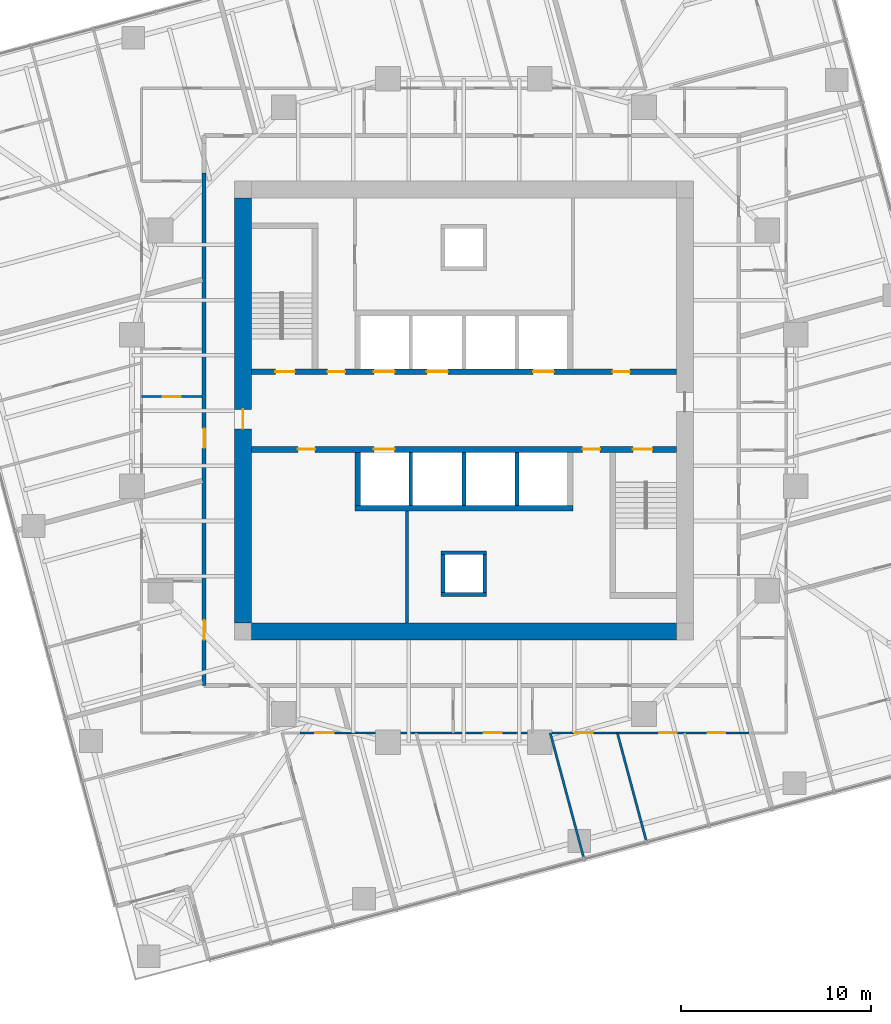
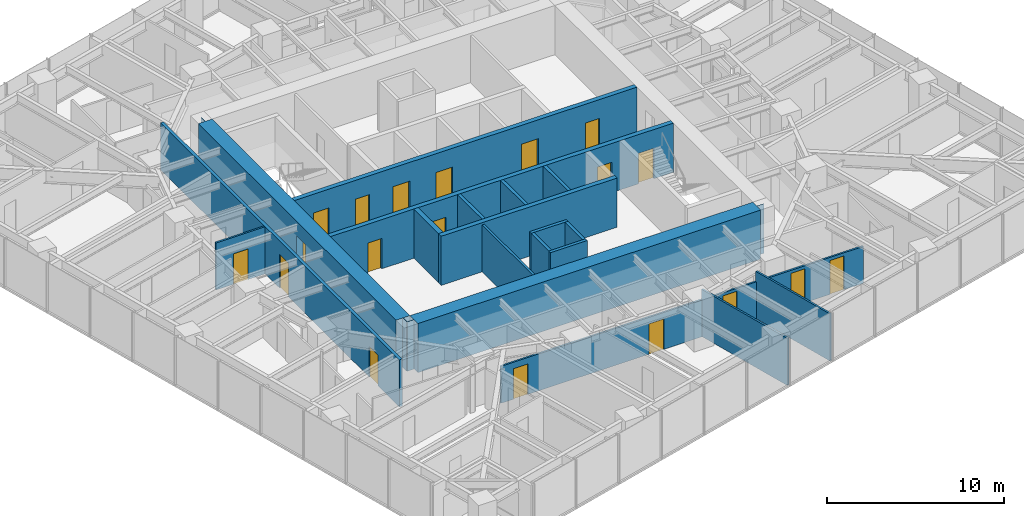
# One storey, part 9 of 13: 19 doors, 19 walls, 19 openings.
"""IFC4 building model written with IfcOpenShell, lengths in metres."""

from ifc_helpers import new_model, si_unit, direction, frame, frame_2d, origin, place, context, subcontext, project, spatial, polyline, rectangle, outline, extrude, material, layer, layer_set, type_object, element, fill, save


model = new_model("IFC4")

# Units and contexts
model_context = context("Model", 3, precision=1e-05, world=origin(), true_north=direction((0.0, 1.0)))
body_context = subcontext(model_context, "Body", "Model", "MODEL_VIEW")
ifc_project = project(units=[si_unit("LENGTHUNIT", "METRE"), si_unit("AREAUNIT", "SQUARE_METRE"), si_unit("VOLUMEUNIT", "CUBIC_METRE"), si_unit("PLANEANGLEUNIT", "RADIAN"), si_unit("MASSUNIT", "GRAM", prefix="KILO")], contexts=[model_context])

# Site, building, storey
site_placement = place(None, origin())
site = spatial("IfcSite", under=ifc_project, at=site_placement, CompositionType="ELEMENT")
building_placement = place(site_placement, origin())
building = spatial("IfcBuilding", under=site, at=building_placement, Name="Torsade Residences", CompositionType="ELEMENT")
storey_placement = place(building_placement, frame((0.0, 0.0, 118.39990234375)))
storey = spatial("IfcBuildingStorey", under=building, at=storey_placement, Name="L32", CompositionType="ELEMENT", Elevation=118.39990234375)

# Wall, openings, doors
ifc_material_1 = material(Name="Concrete 80 MPa", Category="concrete")
ifc_layer_1 = layer(ifc_material_1, 0.300048828125)
ifc_layer_set_1 = layer_set([ifc_layer_1], Name="Concrete 80 MPa")
wall_type_1 = type_object("IfcWallType", Name="CORE INTERNAL WALL 300", PredefinedType="SHEAR", material=ifc_layer_set_1)
wall_1_placement = place(storey_placement, frame((28.800048828125, 32.050048828125, 0.0), z_axis=(0.0, 0.0, 1.0), x_axis=(1.0, 0.0, 0.0)))
wall_1 = element("IfcWall", 1, at=wall_1_placement, inside=storey, type_object=wall_type_1, Name="Core wall LN L32", PredefinedType="SHEAR", context=body_context, shape_type="SweptSolid", body=[
    extrude(rectangle(XDim=22.39990234375, YDim=0.300048828125, at=frame_2d((11.199951171875, 0.0))), origin(), (0.0, 0.0, 1.0), 3.400146484375),
])
opening_1_placement = place(wall_1_placement, frame((19.0400390625, 0.0, 0.0)))
opening_1 = element("IfcOpeningElement", 2, at=opening_1_placement, cuts=wall_1, Name="Opening D06", PredefinedType="OPENING", context=body_context, shape_type="SweptSolid", body=[
    extrude(rectangle(XDim=0.919921875, YDim=2.10009765625, at=frame_2d((0.4599609375, 1.050048828125))), frame((0.0, 0.159912109375, 0.0), z_axis=(0.0, -1.0, 0.0), x_axis=(1.0, 0.0, 0.0)), (0.0, 0.0, 1.0), 0.320068359375),
])
opening_2_placement = place(wall_1_placement, frame((1.264892578125, 0.0, 0.0)))
opening_2 = element("IfcOpeningElement", 3, at=opening_2_placement, cuts=wall_1, Name="Opening D03", PredefinedType="OPENING", context=body_context, shape_type="SweptSolid", body=[
    extrude(rectangle(XDim=1.02001953125, YDim=2.10009765625, at=frame_2d((0.510009765625, 1.050048828125))), frame((0.0, 0.159912109375, 0.0), z_axis=(0.0, -1.0, 0.0), x_axis=(1.0, 0.0, 0.0)), (0.0, 0.0, 1.0), 0.320068359375),
])
opening_3_placement = place(wall_1_placement, frame((4.014892578125, 0.0, 0.0)))
opening_3 = element("IfcOpeningElement", 4, at=opening_3_placement, cuts=wall_1, Name="Opening D06", PredefinedType="OPENING", context=body_context, shape_type="SweptSolid", body=[
    extrude(rectangle(XDim=0.919921875, YDim=2.10009765625, at=frame_2d((0.4599609375, 1.050048828125))), frame((0.0, 0.159912109375, 0.0), z_axis=(0.0, -1.0, 0.0), x_axis=(1.0, 0.0, 0.0)), (0.0, 0.0, 1.0), 0.320068359375),
])
opening_4_placement = place(wall_1_placement, frame((6.449951171875, 0.0, 0.0)))
opening_4 = element("IfcOpeningElement", 5, at=opening_4_placement, cuts=wall_1, Name="Opening LD", PredefinedType="OPENING", context=body_context, shape_type="SweptSolid", body=[
    extrude(rectangle(XDim=1.10009765625, YDim=2.10009765625, at=frame_2d((0.550048828125, 1.050048828125))), frame((0.0, 0.159912109375, 0.0), z_axis=(0.0, -1.0, 0.0), x_axis=(1.0, 0.0, 0.0)), (0.0, 0.0, 1.0), 0.320068359375),
])
opening_5_placement = place(wall_1_placement, frame((9.25, 0.0, 0.0)))
opening_5 = element("IfcOpeningElement", 6, at=opening_5_placement, cuts=wall_1, Name="Opening LD", PredefinedType="OPENING", context=body_context, shape_type="SweptSolid", body=[
    extrude(rectangle(XDim=1.10009765625, YDim=2.10009765625, at=frame_2d((0.550048828125, 1.050048828125))), frame((0.0, 0.159912109375, 0.0), z_axis=(0.0, -1.0, 0.0), x_axis=(1.0, 0.0, 0.0)), (0.0, 0.0, 1.0), 0.320068359375),
])
opening_6_placement = place(wall_1_placement, frame((14.85009765625, 0.0, 0.0)))
opening_6 = element("IfcOpeningElement", 7, at=opening_6_placement, cuts=wall_1, Name="Opening LD", PredefinedType="OPENING", context=body_context, shape_type="SweptSolid", body=[
    extrude(rectangle(XDim=1.10009765625, YDim=2.10009765625, at=frame_2d((0.550048828125, 1.050048828125))), frame((0.0, 0.159912109375, 0.0), z_axis=(0.0, -1.0, 0.0), x_axis=(1.0, 0.0, 0.0)), (0.0, 0.0, 1.0), 0.320068359375),
])
ifc_material_2 = material(Name="Steel-framed fire door", Category="steel")
door_type_1 = type_object("IfcDoorType", Name="FIRE DOOR 1020", OperationType="NOTDEFINED", PredefinedType="DOOR", material=ifc_material_2)
door_1_placement = place(opening_2_placement, origin())
door_1 = element("IfcDoor", 8, at=door_1_placement, inside=storey, type_object=door_type_1, Name="Exit door to fire-isolated stair ST1 L32", OperationType="SINGLE_SWING_RIGHT", OverallHeight=2.10009765625, OverallWidth=1.02001953125, PredefinedType="DOOR", context=body_context, shape_type="SweptSolid", body=[
    extrude(rectangle(XDim=1.02001953125, YDim=2.10009765625, at=frame_2d((0.510009765625, 1.050048828125))), frame((0.0, 0.02490234375, 0.0), z_axis=(0.0, -1.0, 0.0), x_axis=(1.0, 0.0, 0.0)), (0.0, 0.0, 1.0), 0.050048828125),
])
fill(opening_2, door_1)
ifc_material_3 = material(Name="Steel-framed fire door", Category="steel")
door_type_2 = type_object("IfcDoorType", Name="FIRE DOOR 920", OperationType="NOTDEFINED", PredefinedType="DOOR", material=ifc_material_3)
door_2_placement = place(opening_1_placement, origin())
door_2 = element("IfcDoor", 9, at=door_2_placement, inside=storey, type_object=door_type_2, Name="Door Lift lobby to Refuse room", OperationType="SINGLE_SWING_LEFT", OverallHeight=2.10009765625, OverallWidth=0.919921875, PredefinedType="DOOR", context=body_context, shape_type="SweptSolid", body=[
    extrude(rectangle(XDim=0.919921875, YDim=2.10009765625, at=frame_2d((0.4599609375, 1.050048828125))), frame((0.0, 0.02490234375, 0.0), z_axis=(0.0, -1.0, 0.0), x_axis=(1.0, 0.0, 0.0)), (0.0, 0.0, 1.0), 0.050048828125),
])
fill(opening_1, door_2)
door_3_placement = place(opening_3_placement, origin())
door_3 = element("IfcDoor", 10, at=door_3_placement, inside=storey, type_object=door_type_2, Name="Door Lift lobby to Meter store", OperationType="SINGLE_SWING_LEFT", OverallHeight=2.10009765625, OverallWidth=0.919921875, PredefinedType="DOOR", context=body_context, shape_type="SweptSolid", body=[
    extrude(rectangle(XDim=0.919921875, YDim=2.10009765625, at=frame_2d((0.4599609375, 1.050048828125))), frame((0.0, 0.02490234375, 0.0), z_axis=(0.0, -1.0, 0.0), x_axis=(1.0, 0.0, 0.0)), (0.0, 0.0, 1.0), 0.050048828125),
])
fill(opening_3, door_3)
ifc_material_4 = material(Name="Stainless steel lift landing door", Category="steel")
door_type_3 = type_object("IfcDoorType", Name="LIFT LANDING DOOR 1100", OperationType="SLIDING_TO_LEFT", PredefinedType="DOOR", material=ifc_material_4)
door_4_placement = place(opening_4_placement, origin())
door_4 = element("IfcDoor", 11, at=door_4_placement, inside=storey, type_object=door_type_3, Name="Lift LA1 landing door L32", OperationType="SLIDING_TO_LEFT", OverallHeight=2.10009765625, OverallWidth=1.10009765625, PredefinedType="DOOR", context=body_context, shape_type="SweptSolid", body=[
    extrude(rectangle(XDim=1.10009765625, YDim=2.10009765625, at=frame_2d((0.550048828125, 1.050048828125))), frame((0.0, 0.02490234375, 0.0), z_axis=(0.0, -1.0, 0.0), x_axis=(1.0, 0.0, 0.0)), (0.0, 0.0, 1.0), 0.050048828125),
])
fill(opening_4, door_4)
door_5_placement = place(opening_5_placement, origin())
door_5 = element("IfcDoor", 12, at=door_5_placement, inside=storey, type_object=door_type_3, Name="Lift LA2 landing door L32", OperationType="SLIDING_TO_LEFT", OverallHeight=2.10009765625, OverallWidth=1.10009765625, PredefinedType="DOOR", context=body_context, shape_type="SweptSolid", body=[
    extrude(rectangle(XDim=1.10009765625, YDim=2.10009765625, at=frame_2d((0.550048828125, 1.050048828125))), frame((0.0, 0.02490234375, 0.0), z_axis=(0.0, -1.0, 0.0), x_axis=(1.0, 0.0, 0.0)), (0.0, 0.0, 1.0), 0.050048828125),
])
fill(opening_5, door_5)
door_6_placement = place(opening_6_placement, origin())
door_6 = element("IfcDoor", 13, at=door_6_placement, inside=storey, type_object=door_type_3, Name="Lift FL1 landing door L32", OperationType="SLIDING_TO_LEFT", OverallHeight=2.10009765625, OverallWidth=1.10009765625, PredefinedType="DOOR", context=body_context, shape_type="SweptSolid", body=[
    extrude(rectangle(XDim=1.10009765625, YDim=2.10009765625, at=frame_2d((0.550048828125, 1.050048828125))), frame((0.0, 0.02490234375, 0.0), z_axis=(0.0, -1.0, 0.0), x_axis=(1.0, 0.0, 0.0)), (0.0, 0.0, 1.0), 0.050048828125),
])
fill(opening_6, door_6)

wall_2_placement = place(storey_placement, frame((51.199951171875, 27.949951171875, 0.0), z_axis=(0.0, 0.0, 1.0), x_axis=(-1.0, 0.0, 0.0)))
wall_2 = element("IfcWall", 14, at=wall_2_placement, inside=storey, type_object=wall_type_1, Name="Core wall LS L32", PredefinedType="SHEAR", context=body_context, shape_type="SweptSolid", body=[
    extrude(rectangle(XDim=22.39990234375, YDim=0.300048828125, at=frame_2d((11.199951171875, 0.0))), origin(), (0.0, 0.0, 1.0), 3.400146484375),
])
opening_7_placement = place(wall_2_placement, frame((19.0400390625, 0.0, 0.0)))
opening_7 = element("IfcOpeningElement", 15, at=opening_7_placement, cuts=wall_2, Name="Opening D06", PredefinedType="OPENING", context=body_context, shape_type="SweptSolid", body=[
    extrude(rectangle(XDim=0.919921875, YDim=2.10009765625, at=frame_2d((0.4599609375, 1.050048828125))), frame((0.0, 0.159912109375, 0.0), z_axis=(0.0, -1.0, 0.0), x_axis=(1.0, 0.0, 0.0)), (0.0, 0.0, 1.0), 0.320068359375),
])
opening_8_placement = place(wall_2_placement, frame((1.264892578125, 0.0, 0.0)))
opening_8 = element("IfcOpeningElement", 16, at=opening_8_placement, cuts=wall_2, Name="Opening D03", PredefinedType="OPENING", context=body_context, shape_type="SweptSolid", body=[
    extrude(rectangle(XDim=1.02001953125, YDim=2.10009765625, at=frame_2d((0.510009765625, 1.050048828125))), frame((0.0, 0.159912109375, 0.0), z_axis=(0.0, -1.0, 0.0), x_axis=(1.0, 0.0, 0.0)), (0.0, 0.0, 1.0), 0.320068359375),
])
opening_9_placement = place(wall_2_placement, frame((4.014892578125, 0.0, 0.0)))
opening_9 = element("IfcOpeningElement", 17, at=opening_9_placement, cuts=wall_2, Name="Opening D06", PredefinedType="OPENING", context=body_context, shape_type="SweptSolid", body=[
    extrude(rectangle(XDim=0.919921875, YDim=2.10009765625, at=frame_2d((0.4599609375, 1.050048828125))), frame((0.0, 0.159912109375, 0.0), z_axis=(0.0, -1.0, 0.0), x_axis=(1.0, 0.0, 0.0)), (0.0, 0.0, 1.0), 0.320068359375),
])
opening_10_placement = place(wall_2_placement, frame((14.85009765625, 0.0, 0.0)))
opening_10 = element("IfcOpeningElement", 18, at=opening_10_placement, cuts=wall_2, Name="Opening LD", PredefinedType="OPENING", context=body_context, shape_type="SweptSolid", body=[
    extrude(rectangle(XDim=1.10009765625, YDim=2.10009765625, at=frame_2d((0.550048828125, 1.050048828125))), frame((0.0, 0.159912109375, 0.0), z_axis=(0.0, -1.0, 0.0), x_axis=(1.0, 0.0, 0.0)), (0.0, 0.0, 1.0), 0.320068359375),
])
door_7_placement = place(opening_8_placement, origin())
door_7 = element("IfcDoor", 19, at=door_7_placement, inside=storey, type_object=door_type_1, Name="Exit door to fire-isolated stair ST2 L32", OperationType="SINGLE_SWING_RIGHT", OverallHeight=2.10009765625, OverallWidth=1.02001953125, PredefinedType="DOOR", context=body_context, shape_type="SweptSolid", body=[
    extrude(rectangle(XDim=1.02001953125, YDim=2.10009765625, at=frame_2d((0.510009765625, 1.050048828125))), frame((0.0, 0.02490234375, 0.0), z_axis=(0.0, -1.0, 0.0), x_axis=(1.0, 0.0, 0.0)), (0.0, 0.0, 1.0), 0.050048828125),
])
fill(opening_8, door_7)
door_8_placement = place(opening_7_placement, origin())
door_8 = element("IfcDoor", 20, at=door_8_placement, inside=storey, type_object=door_type_2, Name="Door Lift lobby to Cleaner store", OperationType="SINGLE_SWING_LEFT", OverallHeight=2.10009765625, OverallWidth=0.919921875, PredefinedType="DOOR", context=body_context, shape_type="SweptSolid", body=[
    extrude(rectangle(XDim=0.919921875, YDim=2.10009765625, at=frame_2d((0.4599609375, 1.050048828125))), frame((0.0, 0.02490234375, 0.0), z_axis=(0.0, -1.0, 0.0), x_axis=(1.0, 0.0, 0.0)), (0.0, 0.0, 1.0), 0.050048828125),
])
fill(opening_7, door_8)
door_9_placement = place(opening_9_placement, origin())
door_9 = element("IfcDoor", 21, at=door_9_placement, inside=storey, type_object=door_type_2, Name="Door Lift lobby to Communications riser room", OperationType="SINGLE_SWING_RIGHT", OverallHeight=2.10009765625, OverallWidth=0.919921875, PredefinedType="DOOR", context=body_context, shape_type="SweptSolid", body=[
    extrude(rectangle(XDim=0.919921875, YDim=2.10009765625, at=frame_2d((0.4599609375, 1.050048828125))), frame((0.0, 0.02490234375, 0.0), z_axis=(0.0, -1.0, 0.0), x_axis=(1.0, 0.0, 0.0)), (0.0, 0.0, 1.0), 0.050048828125),
])
fill(opening_9, door_9)
door_10_placement = place(opening_10_placement, origin())
door_10 = element("IfcDoor", 22, at=door_10_placement, inside=storey, type_object=door_type_3, Name="Lift FL2 landing door L32", OperationType="SLIDING_TO_LEFT", OverallHeight=2.10009765625, OverallWidth=1.10009765625, PredefinedType="DOOR", context=body_context, shape_type="SweptSolid", body=[
    extrude(rectangle(XDim=1.10009765625, YDim=2.10009765625, at=frame_2d((0.550048828125, 1.050048828125))), frame((0.0, 0.02490234375, 0.0), z_axis=(0.0, -1.0, 0.0), x_axis=(1.0, 0.0, 0.0)), (0.0, 0.0, 1.0), 0.050048828125),
])
fill(opening_10, door_10)

# Walls
wall_3_placement = place(storey_placement, frame((45.75, 24.85009765625, 0.0), z_axis=(0.0, 0.0, 1.0), x_axis=(-1.0, 0.0, 0.0)))
element("IfcWall", 23, at=wall_3_placement, inside=storey, type_object=wall_type_1, Name="Core wall BS L32", PredefinedType="SHEAR", context=body_context, shape_type="SweptSolid", body=[
    extrude(rectangle(XDim=11.5, YDim=0.300048828125, at=frame_2d((5.75, 0.0))), origin(), (0.0, 0.0, 1.0), 3.400146484375),
])
wall_4_placement = place(storey_placement, frame((34.39990234375, 27.800048828125, 0.0), z_axis=(0.0, 0.0, 1.0), x_axis=(0.0, -1.0, 0.0)))
element("IfcWall", 24, at=wall_4_placement, inside=storey, type_object=wall_type_1, Name="Core wall DS4 L32", PredefinedType="SHEAR", context=body_context, shape_type="SweptSolid", body=[
    extrude(rectangle(XDim=2.800048828125, YDim=0.300048828125, at=frame_2d((1.39990234375, 0.0))), origin(), (0.0, 0.0, 1.0), 3.400146484375),
])
ifc_material_5 = material(Name="Concrete 80 MPa", Category="concrete")
ifc_layer_2 = layer(ifc_material_5, 0.89990234375)
ifc_layer_set_2 = layer_set([ifc_layer_2], Name="Concrete 80 MPa")
wall_type_2 = type_object("IfcWallType", Name="CORE WALL 900", PredefinedType="SHEAR", material=ifc_layer_set_2)
wall_5_placement = place(storey_placement, frame((51.199951171875, 18.35009765625, 0.0), z_axis=(0.0, 0.0, 1.0), x_axis=(-1.0, 0.0, 0.0)))
element("IfcWall", 25, at=wall_5_placement, inside=storey, type_object=wall_type_2, Name="Core wall S L32", PredefinedType="SHEAR", context=body_context, shape_type="SweptSolid", body=[
    extrude(outline(polyline([(0.0, -0.449951171875), (22.39990234375, -0.449951171875), (22.39990234375, -0.02490234375), (22.849853515625, -0.02490234375), (22.849853515625, 0.02490234375), (22.39990234375, 0.02490234375), (22.39990234375, 0.449951171875), (0.0, 0.449951171875), (0.0, 0.02490234375), (-0.449951171875, 0.02490234375), (-0.449951171875, -0.02490234375), (0.0, -0.02490234375), (0.0, -0.449951171875)])), origin(), (0.0, 0.0, 1.0), 3.400146484375),
])

# Wall, opening, door
wall_6_placement = place(storey_placement, frame((28.35009765625, 41.199951171875, 0.0), z_axis=(0.0, 0.0, 1.0), x_axis=(0.0, -1.0, 0.0)))
wall_6 = element("IfcWall", 26, at=wall_6_placement, inside=storey, type_object=wall_type_2, Name="Core wall W L32", PredefinedType="SHEAR", context=body_context, shape_type="SweptSolid", body=[
    extrude(outline(polyline([(0.0, -0.449951171875), (22.39990234375, -0.449951171875), (22.39990234375, -0.02490234375), (22.849853515625, -0.02490234375), (22.849853515625, 0.02490234375), (22.39990234375, 0.02490234375), (22.39990234375, 0.449951171875), (0.0, 0.449951171875), (0.0, 0.02490234375), (-0.449951171875, 0.02490234375), (-0.449951171875, -0.02490234375), (0.0, -0.02490234375), (0.0, -0.449951171875)])), origin(), (0.0, 0.0, 1.0), 3.400146484375),
])
opening_11_placement = place(wall_6_placement, frame((11.139892578125, 0.0, 0.0)))
opening_11 = element("IfcOpeningElement", 27, at=opening_11_placement, cuts=wall_6, Name="Opening D04", PredefinedType="OPENING", context=body_context, shape_type="SweptSolid", body=[
    extrude(rectangle(XDim=1.02001953125, YDim=2.39990234375, at=frame_2d((0.510009765625, 1.199951171875))), frame((0.0, 0.4599609375, 0.0), z_axis=(0.0, -1.0, 0.0), x_axis=(1.0, 0.0, 0.0)), (0.0, 0.0, 1.0), 0.919921875),
])
ifc_material_6 = material(Name="Steel-framed fire door", Category="steel")
door_type_4 = type_object("IfcDoorType", Name="LOBBY SMOKE DOOR 1020x2400", OperationType="NOTDEFINED", PredefinedType="DOOR", material=ifc_material_6)
door_11_placement = place(opening_11_placement, origin())
door_11 = element("IfcDoor", 28, at=door_11_placement, inside=storey, type_object=door_type_4, Name="Lift lobby door W L32", OperationType="SINGLE_SWING_RIGHT", OverallHeight=2.39990234375, OverallWidth=1.02001953125, PredefinedType="DOOR", context=body_context, shape_type="SweptSolid", body=[
    extrude(rectangle(XDim=1.02001953125, YDim=2.39990234375, at=frame_2d((0.510009765625, 1.199951171875))), frame((0.0, 0.02490234375, 0.0), z_axis=(0.0, -1.0, 0.0), x_axis=(1.0, 0.0, 0.0)), (0.0, 0.0, 1.0), 0.050048828125),
])
fill(opening_11, door_11)

# Wall, openings, doors
ifc_material_7 = material(Name="Plasterboard on steel stud", Category="steel")
ifc_layer_3 = layer(ifc_material_7, 0.199951171875)
ifc_layer_set_3 = layer_set([ifc_layer_3], Name="Plasterboard on steel stud")
wall_type_3 = type_object("IfcWallType", Name="CORRIDOR WALL 200", PredefinedType="PARTITIONING", material=ifc_layer_set_3)
wall_7_placement = place(storey_placement, frame((26.300048828125, 42.52001953125, 0.0), z_axis=(0.0, 0.0, 1.0), x_axis=(0.0, -1.0, 0.0)))
wall_7 = element("IfcWall", 29, at=wall_7_placement, inside=storey, type_object=wall_type_3, Name="Corridor wall L32", PredefinedType="PARTITIONING", context=body_context, shape_type="SweptSolid", body=[
    extrude(rectangle(XDim=27.02001953125, YDim=0.199951171875, at=frame_2d((13.510009765625, 0.0))), origin(), (0.0, 0.0, 1.0), 3.25),
])
opening_12_placement = place(wall_7_placement, frame((23.583984375, 0.0, 0.0)))
opening_12 = element("IfcOpeningElement", 30, at=opening_12_placement, cuts=wall_7, Name="Opening D01L", PredefinedType="OPENING", context=body_context, shape_type="SweptSolid", body=[
    extrude(rectangle(XDim=1.02001953125, YDim=2.10009765625, at=frame_2d((0.510009765625, 1.050048828125))), frame((0.0, 0.10986328125, 0.0), z_axis=(0.0, -1.0, 0.0), x_axis=(1.0, 0.0, 0.0)), (0.0, 0.0, 1.0), 0.219970703125),
])
opening_13_placement = place(wall_7_placement, frame((13.468017578125, 0.0, 0.0)))
opening_13 = element("IfcOpeningElement", 31, at=opening_13_placement, cuts=wall_7, Name="Opening D01", PredefinedType="OPENING", context=body_context, shape_type="SweptSolid", body=[
    extrude(rectangle(XDim=1.02001953125, YDim=2.340087890625, at=frame_2d((0.510009765625, 1.169921875))), frame((0.0, 0.10986328125, 0.0), z_axis=(0.0, -1.0, 0.0), x_axis=(1.0, 0.0, 0.0)), (0.0, 0.0, 1.0), 0.219970703125),
])
ifc_material_8 = material(Name="Solid-core timber fire door", Category="wood")
door_type_5 = type_object("IfcDoorType", Name="APARTMENT ENTRY DOOR 1020x2100", OperationType="NOTDEFINED", PredefinedType="DOOR", material=ifc_material_8)
door_12_placement = place(opening_12_placement, origin())
door_12 = element("IfcDoor", 32, at=door_12_placement, inside=storey, type_object=door_type_5, Name="Door Residential corridor to Kitchen and dining", OperationType="SINGLE_SWING_RIGHT", OverallHeight=2.10009765625, OverallWidth=1.02001953125, PredefinedType="DOOR", context=body_context, shape_type="SweptSolid", body=[
    extrude(rectangle(XDim=1.02001953125, YDim=2.10009765625, at=frame_2d((0.510009765625, 1.050048828125))), frame((0.0, 0.02490234375, 0.0), z_axis=(0.0, -1.0, 0.0), x_axis=(1.0, 0.0, 0.0)), (0.0, 0.0, 1.0), 0.050048828125),
])
fill(opening_12, door_12)
ifc_material_9 = material(Name="Solid-core timber fire door", Category="wood")
door_type_6 = type_object("IfcDoorType", Name="APARTMENT ENTRY DOOR 1020x2340", OperationType="NOTDEFINED", PredefinedType="DOOR", material=ifc_material_9)
door_13_placement = place(opening_13_placement, origin())
door_13 = element("IfcDoor", 33, at=door_13_placement, inside=storey, type_object=door_type_6, Name="Door Residential corridor to Kitchen and dining", OperationType="SINGLE_SWING_RIGHT", OverallHeight=2.340087890625, OverallWidth=1.02001953125, PredefinedType="DOOR", context=body_context, shape_type="SweptSolid", body=[
    extrude(rectangle(XDim=1.02001953125, YDim=2.340087890625, at=frame_2d((0.510009765625, 1.169921875))), frame((0.0, 0.02490234375, 0.0), z_axis=(0.0, -1.0, 0.0), x_axis=(1.0, 0.0, 0.0)), (0.0, 0.0, 1.0), 0.050048828125),
])
fill(opening_13, door_13)

# Walls
ifc_material_10 = material(Name="Reinforced blockwork", Category="masonry")
ifc_layer_4 = layer(ifc_material_10, 0.199951171875)
ifc_layer_set_4 = layer_set([ifc_layer_4], Name="Reinforced blockwork")
wall_type_4 = type_object("IfcWallType", Name="LIFT SHAFT DIVIDING WALL 200", PredefinedType="SOLIDWALL", material=ifc_layer_set_4)
for number, where, z_axis, x_axis, name in (
    (34, (42.800048828125, 27.800048828125, 0.0), (0.0, 0.0, 1.0), (0.0, -1.0, 0.0), "Core wall DS1 L32"),
    (35, (40.0, 27.800048828125, 0.0), (0.0, 0.0, 1.0), (0.0, -1.0, 0.0), "Core wall DS2 L32"),
    (36, (37.199951171875, 27.800048828125, 0.0), (0.0, 0.0, 1.0), (0.0, -1.0, 0.0), "Core wall DS3 L32"),
):
    element("IfcWall", number, at=place(storey_placement, frame(where, z_axis=z_axis, x_axis=x_axis)), inside=storey, type_object=wall_type_4, Name=name, PredefinedType="SOLIDWALL", context=body_context, shape_type="SweptSolid", body=[
        extrude(rectangle(XDim=2.800048828125, YDim=0.199951171875, at=frame_2d((1.39990234375, 0.0))), origin(), (0.0, 0.0, 1.0), 3.400146484375),
    ])

# Wall, openings, doors
ifc_material_11 = material(Name="Plasterboard on steel stud", Category="steel")
ifc_layer_5 = layer(ifc_material_11, 0.1201171875)
ifc_layer_set_5 = layer_set([ifc_layer_5], Name="Plasterboard on steel stud")
wall_type_5 = type_object("IfcWallType", Name="PARTITION 120", PredefinedType="PARTITIONING", material=ifc_layer_set_5)
wall_8_placement = place(storey_placement, frame((55.046142578125, 13.0, 0.0), z_axis=(0.0, 0.0, 1.0), x_axis=(-1.0, 0.0, 0.0)))
wall_8 = element("IfcWall", 37, at=wall_8_placement, inside=storey, type_object=wall_type_5, Name="Partition L32", PredefinedType="PARTITIONING", context=body_context, shape_type="SweptSolid", body=[
    extrude(rectangle(XDim=23.692626953125, YDim=0.1201171875, at=frame_2d((11.84619140625, 0.0))), origin(), (0.0, 0.0, 1.0), 2.550048828125),
])
opening_14_placement = place(wall_8_placement, frame((8.262451171875, 0.0, 0.0)))
opening_14 = element("IfcOpeningElement", 38, at=opening_14_placement, cuts=wall_8, Name="Opening D02", PredefinedType="OPENING", context=body_context, shape_type="SweptSolid", body=[
    extrude(rectangle(XDim=0.919921875, YDim=2.340087890625, at=frame_2d((0.4599609375, 1.169921875))), frame((0.0, 0.070068359375, 0.0), z_axis=(0.0, -1.0, 0.0), x_axis=(1.0, 0.0, 0.0)), (0.0, 0.0, 1.0), 0.14013671875),
])
opening_15_placement = place(wall_8_placement, frame((3.8251953125, 0.0, 0.0)))
opening_15 = element("IfcOpeningElement", 39, at=opening_15_placement, cuts=wall_8, Name="Opening D02", PredefinedType="OPENING", context=body_context, shape_type="SweptSolid", body=[
    extrude(rectangle(XDim=0.919921875, YDim=2.340087890625, at=frame_2d((0.4599609375, 1.169921875))), frame((0.0, 0.070068359375, 0.0), z_axis=(0.0, -1.0, 0.0), x_axis=(1.0, 0.0, 0.0)), (0.0, 0.0, 1.0), 0.14013671875),
])
opening_16_placement = place(wall_8_placement, frame((1.274169921875, 0.0, 0.0)))
opening_16 = element("IfcOpeningElement", 40, at=opening_16_placement, cuts=wall_8, Name="Opening D02", PredefinedType="OPENING", context=body_context, shape_type="SweptSolid", body=[
    extrude(rectangle(XDim=0.919921875, YDim=2.340087890625, at=frame_2d((0.4599609375, 1.169921875))), frame((0.0, 0.070068359375, 0.0), z_axis=(0.0, -1.0, 0.0), x_axis=(1.0, 0.0, 0.0)), (0.0, 0.0, 1.0), 0.14013671875),
])
opening_17_placement = place(wall_8_placement, frame((13.041259765625, 0.0, 0.0)))
opening_17 = element("IfcOpeningElement", 41, at=opening_17_placement, cuts=wall_8, Name="Opening D05", PredefinedType="OPENING", context=body_context, shape_type="SweptSolid", body=[
    extrude(rectangle(XDim=0.9599609375, YDim=2.10009765625, at=frame_2d((0.47998046875, 1.050048828125))), frame((0.0, 0.070068359375, 0.0), z_axis=(0.0, -1.0, 0.0), x_axis=(1.0, 0.0, 0.0)), (0.0, 0.0, 1.0), 0.14013671875),
])
opening_18_placement = place(wall_8_placement, frame((21.91748046875, 0.0, 0.0)))
opening_18 = element("IfcOpeningElement", 42, at=opening_18_placement, cuts=wall_8, Name="Opening D05", PredefinedType="OPENING", context=body_context, shape_type="SweptSolid", body=[
    extrude(rectangle(XDim=0.9599609375, YDim=2.10009765625, at=frame_2d((0.47998046875, 1.050048828125))), frame((0.0, 0.070068359375, 0.0), z_axis=(0.0, -1.0, 0.0), x_axis=(1.0, 0.0, 0.0)), (0.0, 0.0, 1.0), 0.14013671875),
])
ifc_material_12 = material(Name="Hollow-core timber door in a steel cavity frame", Category="steel")
door_type_7 = type_object("IfcDoorType", Name="BATHROOM CAVITY SLIDING DOOR 960", OperationType="SLIDING_TO_LEFT", PredefinedType="DOOR", material=ifc_material_12)
door_14_placement = place(opening_17_placement, origin())
door_14 = element("IfcDoor", 43, at=door_14_placement, inside=storey, type_object=door_type_7, Name="Door Ensuite to Living room", OperationType="SLIDING_TO_LEFT", OverallHeight=2.10009765625, OverallWidth=0.9599609375, PredefinedType="DOOR", context=body_context, shape_type="SweptSolid", body=[
    extrude(rectangle(XDim=0.9599609375, YDim=2.10009765625, at=frame_2d((0.47998046875, 1.050048828125))), frame((0.0, 0.02490234375, 0.0), z_axis=(0.0, -1.0, 0.0), x_axis=(1.0, 0.0, 0.0)), (0.0, 0.0, 1.0), 0.050048828125),
])
fill(opening_17, door_14)
door_15_placement = place(opening_18_placement, origin())
door_15 = element("IfcDoor", 44, at=door_15_placement, inside=storey, type_object=door_type_7, Name="Door Bedroom 1 to Ensuite", OperationType="SLIDING_TO_LEFT", OverallHeight=2.10009765625, OverallWidth=0.9599609375, PredefinedType="DOOR", context=body_context, shape_type="SweptSolid", body=[
    extrude(rectangle(XDim=0.9599609375, YDim=2.10009765625, at=frame_2d((0.47998046875, 1.050048828125))), frame((0.0, 0.02490234375, 0.0), z_axis=(0.0, -1.0, 0.0), x_axis=(1.0, 0.0, 0.0)), (0.0, 0.0, 1.0), 0.050048828125),
])
fill(opening_18, door_15)
ifc_material_13 = material(Name="Hollow-core timber door", Category="wood")
door_type_8 = type_object("IfcDoorType", Name="INTERNAL DOOR 920x2340", OperationType="NOTDEFINED", PredefinedType="DOOR", material=ifc_material_13)
door_16_placement = place(opening_14_placement, origin())
door_16 = element("IfcDoor", 45, at=door_16_placement, inside=storey, type_object=door_type_8, Name="Door Kitchen and dining to Bedroom 2", OperationType="SINGLE_SWING_RIGHT", OverallHeight=2.340087890625, OverallWidth=0.919921875, PredefinedType="DOOR", context=body_context, shape_type="SweptSolid", body=[
    extrude(rectangle(XDim=0.919921875, YDim=2.340087890625, at=frame_2d((0.4599609375, 1.169921875))), frame((0.0, 0.02490234375, 0.0), z_axis=(0.0, -1.0, 0.0), x_axis=(1.0, 0.0, 0.0)), (0.0, 0.0, 1.0), 0.050048828125),
])
fill(opening_14, door_16)
door_17_placement = place(opening_15_placement, origin())
door_17 = element("IfcDoor", 46, at=door_17_placement, inside=storey, type_object=door_type_8, Name="Door Kitchen and dining to Bedroom 3", OperationType="SINGLE_SWING_LEFT", OverallHeight=2.340087890625, OverallWidth=0.919921875, PredefinedType="DOOR", context=body_context, shape_type="SweptSolid", body=[
    extrude(rectangle(XDim=0.919921875, YDim=2.340087890625, at=frame_2d((0.4599609375, 1.169921875))), frame((0.0, 0.02490234375, 0.0), z_axis=(0.0, -1.0, 0.0), x_axis=(1.0, 0.0, 0.0)), (0.0, 0.0, 1.0), 0.050048828125),
])
fill(opening_15, door_17)
door_18_placement = place(opening_16_placement, origin())
door_18 = element("IfcDoor", 47, at=door_18_placement, inside=storey, type_object=door_type_8, Name="Door Kitchen and dining to Study", OperationType="SINGLE_SWING_RIGHT", OverallHeight=2.340087890625, OverallWidth=0.919921875, PredefinedType="DOOR", context=body_context, shape_type="SweptSolid", body=[
    extrude(rectangle(XDim=0.919921875, YDim=2.340087890625, at=frame_2d((0.4599609375, 1.169921875))), frame((0.0, 0.02490234375, 0.0), z_axis=(0.0, -1.0, 0.0), x_axis=(1.0, 0.0, 0.0)), (0.0, 0.0, 1.0), 0.050048828125),
])
fill(opening_16, door_18)

# Walls
wall_9_placement = place(storey_placement, frame((44.55517578125, 13.0, 0.0), z_axis=(0.0, 0.0, 1.0), x_axis=(0.258829770556, -0.965922952349, 0.0)))
element("IfcWall", 48, at=wall_9_placement, inside=storey, type_object=wall_type_5, Name="Partition L32", PredefinedType="PARTITIONING", context=body_context, shape_type="SweptSolid", body=[
    extrude(rectangle(XDim=6.8603515625, YDim=0.1201171875, at=frame_2d((3.43017578125, 0.0))), origin(), (0.0, 0.0, 1.0), 3.25),
])
wall_10_placement = place(storey_placement, frame((48.09228515625, 13.0, 0.0), z_axis=(0.0, 0.0, 1.0), x_axis=(0.258812722515, -0.965927520399, 0.0)))
element("IfcWall", 49, at=wall_10_placement, inside=storey, type_object=wall_type_5, Name="Partition L32", PredefinedType="PARTITIONING", context=body_context, shape_type="SweptSolid", body=[
    extrude(rectangle(XDim=5.94482421875, YDim=0.1201171875, at=frame_2d((2.972412109375, 0.0))), origin(), (0.0, 0.0, 1.0), 3.25),
])

# Wall, opening, door
wall_11_placement = place(storey_placement, frame((23.0, 30.737060546875, 0.0), z_axis=(0.0, 0.0, 1.0), x_axis=(1.0, 0.0, 0.0)))
wall_11 = element("IfcWall", 50, at=wall_11_placement, inside=storey, type_object=wall_type_5, Name="Partition L32", PredefinedType="PARTITIONING", context=body_context, shape_type="SweptSolid", body=[
    extrude(rectangle(XDim=3.199951171875, YDim=0.1201171875, at=frame_2d((1.60009765625, 0.0))), origin(), (0.0, 0.0, 1.0), 3.25),
])
opening_19_placement = place(wall_11_placement, frame((1.1201171875, 0.0, 0.0)))
opening_19 = element("IfcOpeningElement", 51, at=opening_19_placement, cuts=wall_11, Name="Opening D05", PredefinedType="OPENING", context=body_context, shape_type="SweptSolid", body=[
    extrude(rectangle(XDim=0.9599609375, YDim=2.10009765625, at=frame_2d((0.47998046875, 1.050048828125))), frame((0.0, 0.070068359375, 0.0), z_axis=(0.0, -1.0, 0.0), x_axis=(1.0, 0.0, 0.0)), (0.0, 0.0, 1.0), 0.14013671875),
])
door_19_placement = place(opening_19_placement, origin())
door_19 = element("IfcDoor", 52, at=door_19_placement, inside=storey, type_object=door_type_7, Name="Door Kitchen and dining to Ensuite", OperationType="SLIDING_TO_LEFT", OverallHeight=2.10009765625, OverallWidth=0.9599609375, PredefinedType="DOOR", context=body_context, shape_type="SweptSolid", body=[
    extrude(rectangle(XDim=0.9599609375, YDim=2.10009765625, at=frame_2d((0.47998046875, 1.050048828125))), frame((0.0, 0.02490234375, 0.0), z_axis=(0.0, -1.0, 0.0), x_axis=(1.0, 0.0, 0.0)), (0.0, 0.0, 1.0), 0.050048828125),
])
fill(opening_19, door_19)

# Walls
ifc_material_14 = material(Name="Reinforced blockwork", Category="masonry")
ifc_layer_6 = layer(ifc_material_14, 0.199951171875)
ifc_layer_set_6 = layer_set([ifc_layer_6], Name="Reinforced blockwork")
wall_type_6 = type_object("IfcWallType", Name="RISER SHAFT WALL 200", PredefinedType="SOLIDWALL", material=ifc_layer_set_6)
for number, where, z_axis, x_axis, name in (
    (53, (38.89990234375, 22.39990234375, 0.0), (0.0, 0.0, 1.0), (0.0, -1.0, 0.0), "Core wall RS2a L32"),
    (54, (41.10009765625, 22.39990234375, 0.0), (0.0, 0.0, 1.0), (0.0, -1.0, 0.0), "Core wall RS2b L32"),
):
    element("IfcWall", number, at=place(storey_placement, frame(where, z_axis=z_axis, x_axis=x_axis)), inside=storey, type_object=wall_type_6, Name=name, PredefinedType="SOLIDWALL", context=body_context, shape_type="SweptSolid", body=[
        extrude(rectangle(XDim=2.0, YDim=0.199951171875, at=frame_2d((1.0, 0.0))), origin(), (0.0, 0.0, 1.0), 3.400146484375),
    ])
for number, where, z_axis, x_axis, name in (
    (55, (38.800048828125, 22.5, 0.0), (0.0, 0.0, 1.0), (1.0, 0.0, 0.0), "Core wall RS2c L32"),
    (56, (38.800048828125, 20.300048828125, 0.0), (0.0, 0.0, 1.0), (1.0, 0.0, 0.0), "Core wall RS2d L32"),
):
    element("IfcWall", number, at=place(storey_placement, frame(where, z_axis=z_axis, x_axis=x_axis)), inside=storey, type_object=wall_type_6, Name=name, PredefinedType="SOLIDWALL", context=body_context, shape_type="SweptSolid", body=[
        extrude(rectangle(XDim=2.39990234375, YDim=0.199951171875, at=frame_2d((1.199951171875, 0.0))), origin(), (0.0, 0.0, 1.0), 3.400146484375),
    ])
ifc_material_15 = material(Name="Reinforced blockwork", Category="masonry")
ifc_layer_7 = layer(ifc_material_15, 0.14990234375)
ifc_layer_set_7 = layer_set([ifc_layer_7], Name="Reinforced blockwork")
wall_type_7 = type_object("IfcWallType", Name="SERVICE ROOM WALL 150", PredefinedType="SOLIDWALL", material=ifc_layer_set_7)
wall_12_placement = place(storey_placement, frame((37.0, 18.800048828125, 0.0), z_axis=(0.0, 0.0, 1.0), x_axis=(0.0, 1.0, 0.0)))
element("IfcWall", 57, at=wall_12_placement, inside=storey, type_object=wall_type_7, Name="Service room wall L32", PredefinedType="SOLIDWALL", context=body_context, shape_type="SweptSolid", body=[
    extrude(rectangle(XDim=5.89990234375, YDim=0.14990234375, at=frame_2d((2.949951171875, 0.0))), origin(), (0.0, 0.0, 1.0), 3.25),
])

save(model, "model.ifc")
